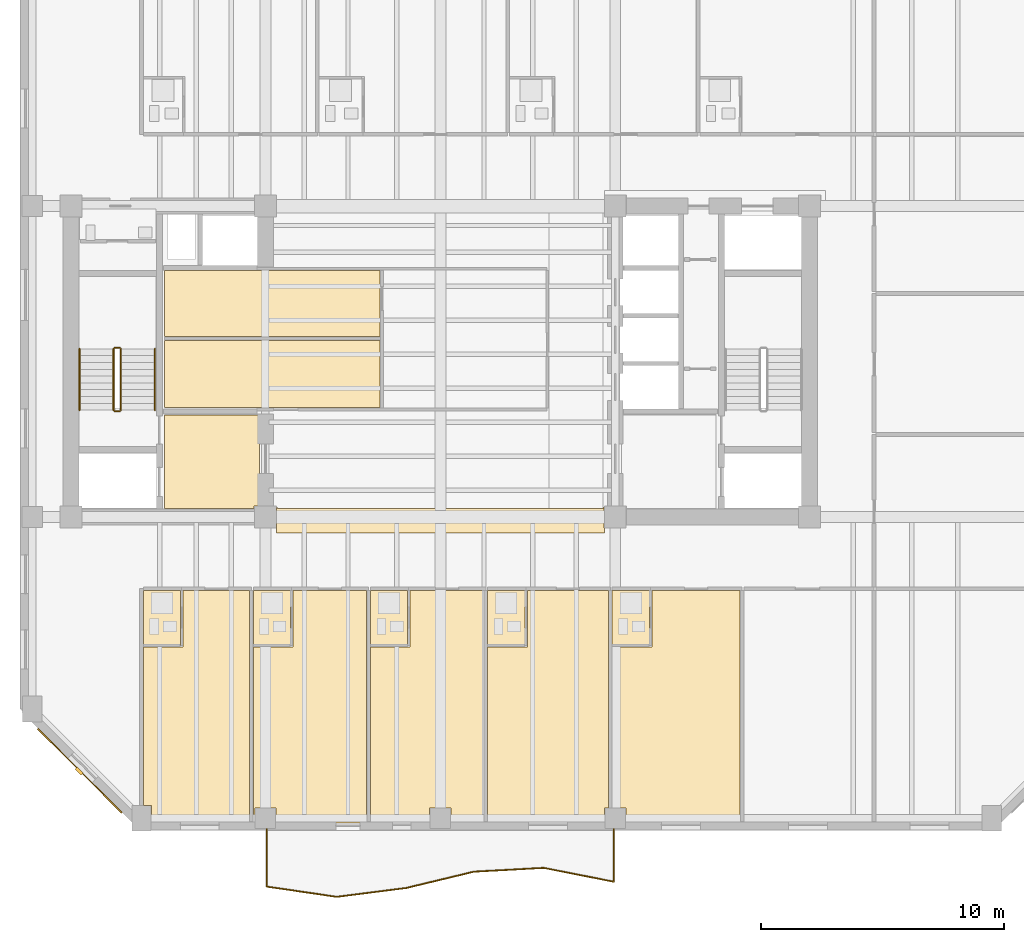
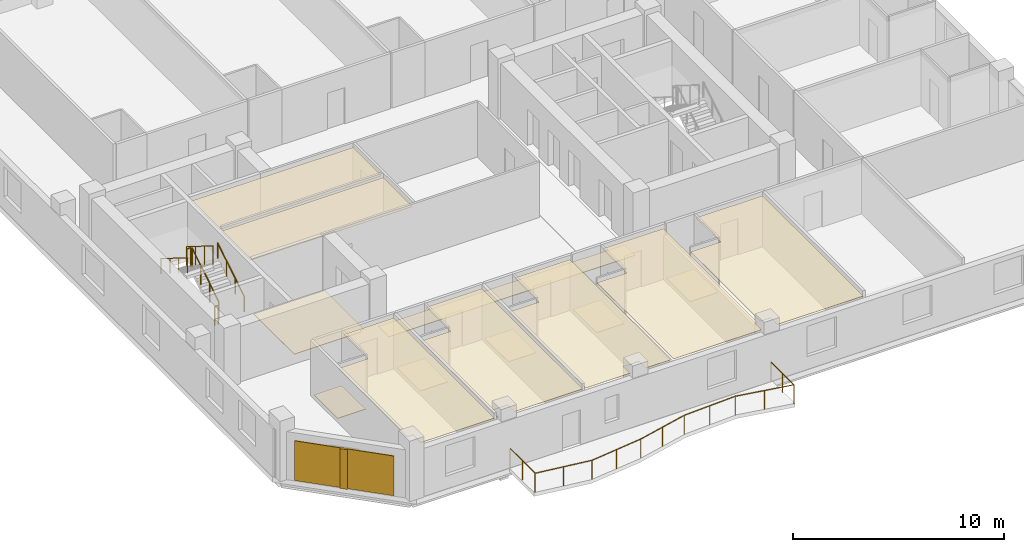
# One storey, part 8 of 11: 15 coverings, 7 railings, 1 shading device.
"""IFC4 building model written with IfcOpenShell, lengths in metres."""

from ifc_helpers import new_model, si_unit, direction, frame, origin, origin_2d, place, context, subcontext, project, spatial, polyline, rectangle, circle, outline, extrude, material, layer, layer_set, type_object, element, save


model = new_model("IFC4")

# Units and contexts
model_context = context("Model", 3, precision=1e-05, world=origin(), true_north=direction((0.0, 1.0)))
body_context = subcontext(model_context, "Body", "Model", "MODEL_VIEW")
ifc_project = project(units=[si_unit("LENGTHUNIT", "METRE"), si_unit("AREAUNIT", "SQUARE_METRE"), si_unit("VOLUMEUNIT", "CUBIC_METRE"), si_unit("PLANEANGLEUNIT", "RADIAN"), si_unit("MASSUNIT", "GRAM", prefix="KILO")], contexts=[model_context])

# Site, building, storey
site_placement = place(None, origin())
site = spatial("IfcSite", under=ifc_project, at=site_placement, CompositionType="ELEMENT")
building_placement = place(site_placement, origin())
building = spatial("IfcBuilding", under=site, at=building_placement, Name="Kranthara Brick Stack", CompositionType="ELEMENT")
storey_placement = place(building_placement, frame((0.0, 0.0, 176.300048828125)))
storey = spatial("IfcBuildingStorey", under=building, at=storey_placement, Name="L45", CompositionType="ELEMENT", Elevation=176.300048828125)

# Coverings
ifc_material_1 = material(Name="Perforated mineral-fibre acoustic ceiling tile", Category="other")
ifc_layer_1 = layer(ifc_material_1, 0.02490234375)
ifc_layer_set_1 = layer_set([ifc_layer_1], Name="Perforated mineral-fibre acoustic ceiling tile")
covering_type_1 = type_object("IfcCoveringType", Name="COV-CEIL-ACOUSTIC", PredefinedType="CEILING", material=ifc_layer_set_1)
covering_1_placement = place(storey_placement, frame((0.0, 0.0, 2.929931640625)))
element("IfcCovering", 1, at=covering_1_placement, inside=storey, type_object=covering_type_1, Name="L45 L45 Hotel Reading Room Acoustic Ceiling", PredefinedType="CEILING", context=body_context, shape_type="SweptSolid", body=[
    extrude(outline(polyline([(25.52001953125, 25.300048828125), (25.52001953125, 28.070068359375), (16.64990234375, 28.070068359375), (16.64990234375, 25.300048828125), (25.52001953125, 25.300048828125)])), origin(), (0.0, 0.0, 1.0), 0.02490234375),
])
covering_2_placement = place(storey_placement, frame((0.0, 0.0, 2.929931640625)))
element("IfcCovering", 2, at=covering_2_placement, inside=storey, type_object=covering_type_1, Name="L45 L45 Hotel Executive Briefing Salon Acoustic Ceiling", PredefinedType="CEILING", context=body_context, shape_type="SweptSolid", body=[
    extrude(outline(polyline([(25.52001953125, 28.22998046875), (25.52001953125, 30.93994140625), (16.64990234375, 30.93994140625), (16.64990234375, 28.22998046875), (25.52001953125, 28.22998046875)])), origin(), (0.0, 0.0, 1.0), 0.02490234375),
])
covering_3_placement = place(storey_placement, frame((0.0, 0.0, 2.929931640625)))
element("IfcCovering", 3, at=covering_3_placement, inside=storey, type_object=covering_type_1, Name="L45 Room L45-01 Hotel Guest Room Acoustic Ceiling", PredefinedType="CEILING", context=body_context, shape_type="SweptSolid", body=[
    extrude(outline(polyline([(15.780029296875, 15.4599609375), (17.409912109375, 15.4599609375), (17.409912109375, 17.77001953125), (20.14306640625, 17.77001953125), (20.14306640625, 8.199951171875), (16.110107421875, 8.199951171875), (16.110107421875, 8.93505859375), (15.780029296875, 8.93505859375), (15.780029296875, 15.4599609375)])), origin(), (0.0, 0.0, 1.0), 0.02490234375),
])
covering_4_placement = place(storey_placement, frame((0.0, 0.0, 2.929931640625)))
element("IfcCovering", 4, at=covering_4_placement, inside=storey, type_object=covering_type_1, Name="L45 Room L45-02 Hotel Guest Room Acoustic Ceiling", PredefinedType="CEILING", context=body_context, shape_type="SweptSolid", body=[
    extrude(outline(polyline([(20.302978515625, 8.199951171875), (20.302978515625, 15.4599609375), (21.93310546875, 15.4599609375), (21.93310546875, 17.77001953125), (24.967041015625, 17.77001953125), (24.967041015625, 8.199951171875), (21.235107421875, 8.199951171875), (21.235107421875, 8.8349609375), (20.364990234375, 8.8349609375), (20.364990234375, 8.199951171875), (20.302978515625, 8.199951171875)])), origin(), (0.0, 0.0, 1.0), 0.02490234375),
])
covering_5_placement = place(storey_placement, frame((0.0, 0.0, 2.929931640625)))
element("IfcCovering", 5, at=covering_5_placement, inside=storey, type_object=covering_type_1, Name="L45 Room L45-03 Hotel Guest Room Acoustic Ceiling", PredefinedType="CEILING", context=body_context, shape_type="SweptSolid", body=[
    extrude(outline(polyline([(25.126953125, 8.199951171875), (25.126953125, 15.4599609375), (26.757080078125, 15.4599609375), (26.757080078125, 17.77001953125), (29.7900390625, 17.77001953125), (29.7900390625, 8.199951171875), (28.43505859375, 8.199951171875), (28.43505859375, 8.8349609375), (27.56494140625, 8.8349609375), (27.56494140625, 8.199951171875), (25.126953125, 8.199951171875)])), origin(), (0.0, 0.0, 1.0), 0.02490234375),
])
covering_6_placement = place(storey_placement, frame((0.0, 0.0, 2.929931640625)))
element("IfcCovering", 6, at=covering_6_placement, inside=storey, type_object=covering_type_1, Name="L45 Room L45-04 Hotel Guest Room Acoustic Ceiling", PredefinedType="CEILING", context=body_context, shape_type="SweptSolid", body=[
    extrude(outline(polyline([(29.949951171875, 8.199951171875), (29.949951171875, 15.4599609375), (31.580078125, 15.4599609375), (31.580078125, 17.77001953125), (34.916015625, 17.77001953125), (34.916015625, 8.8349609375), (34.764892578125, 8.8349609375), (34.764892578125, 8.199951171875), (29.949951171875, 8.199951171875)])), origin(), (0.0, 0.0, 1.0), 0.02490234375),
])
covering_7_placement = place(storey_placement, frame((0.0, 0.0, 2.929931640625)))
element("IfcCovering", 7, at=covering_7_placement, inside=storey, type_object=covering_type_1, Name="L45 Room L45-05 Hotel Guest Room Acoustic Ceiling", PredefinedType="CEILING", context=body_context, shape_type="SweptSolid", body=[
    extrude(outline(polyline([(35.075927734375, 15.4599609375), (36.7060546875, 15.4599609375), (36.7060546875, 17.77001953125), (40.343017578125, 17.77001953125), (40.343017578125, 8.199951171875), (35.635009765625, 8.199951171875), (35.635009765625, 8.8349609375), (35.075927734375, 8.8349609375), (35.075927734375, 15.4599609375)])), origin(), (0.0, 0.0, 1.0), 0.02490234375),
])
ifc_material_2 = material(Name="Warm buff kiln-fired brick slip rainscreen", Category="masonry")
ifc_layer_2 = layer(ifc_material_2, 0.044921875)
ifc_layer_set_2 = layer_set([ifc_layer_2], Name="Warm buff kiln-fired brick slip rainscreen")
covering_type_2 = type_object("IfcCoveringType", Name="COV-CLAD-BRICK", PredefinedType="CLADDING", material=ifc_layer_set_2)
covering_8_placement = place(storey_placement, frame((13.15966796875, 10.359619140625, 0.0498046875), z_axis=(0.0, 0.0, 1.0), x_axis=(-0.707106781187, 0.707106781187, 0.0)))
element("IfcCovering", 8, at=covering_8_placement, inside=storey, type_object=covering_type_2, Name="L45 Chamfer Brick Rainscreen Cladding SW", PredefinedType="CLADDING", context=body_context, shape_type="SweptSolid", body=[
    extrude(rectangle(XDim=4.89306640625, YDim=0.044921875, at=origin_2d()), origin(), (0.0, 0.0, 1.0), 2.300048828125),
])
ifc_material_3 = material(Name="Honed terrazzo and porcelain floor finish", Category="stone")
ifc_layer_3 = layer(ifc_material_3, 0.030029296875)
ifc_layer_set_3 = layer_set([ifc_layer_3], Name="Honed terrazzo and porcelain floor finish")
covering_type_3 = type_object("IfcCoveringType", Name="COV-FLOR-STONE", PredefinedType="FLOORING", material=ifc_layer_set_3)
covering_9_placement = place(storey_placement, origin())
element("IfcCovering", 9, at=covering_9_placement, inside=storey, type_object=covering_type_3, Name="L45 Lift Lobby Stone Flooring", PredefinedType="FLOORING", context=body_context, shape_type="SweptSolid", body=[
    extrude(outline(polyline([(16.64990234375, 21.14990234375), (16.64990234375, 25.0), (20.550048828125, 25.0), (20.550048828125, 21.260009765625), (20.340087890625, 21.260009765625), (20.340087890625, 21.14990234375), (16.64990234375, 21.14990234375)])), origin(), (0.0, 0.0, 1.0), 0.030029296875),
])
covering_10_placement = place(storey_placement, origin())
element("IfcCovering", 10, at=covering_10_placement, inside=storey, type_object=covering_type_3, Name="L45 Lift Lobby Stone Flooring", PredefinedType="FLOORING", context=body_context, shape_type="SweptSolid", body=[
    extrude(outline(polyline([(21.25, 20.340087890625), (21.260009765625, 20.340087890625), (21.260009765625, 21.199951171875), (21.300048828125, 21.199951171875), (21.300048828125, 21.14990234375), (32.47998046875, 21.14990234375), (34.699951171875, 21.14990234375), (34.699951171875, 21.199951171875), (34.739990234375, 21.199951171875), (34.739990234375, 20.340087890625), (34.75, 20.340087890625), (34.75, 20.14990234375), (21.25, 20.14990234375), (21.25, 20.340087890625)])), origin(), (0.0, 0.0, 1.0), 0.030029296875),
])
covering_11_placement = place(storey_placement, origin())
element("IfcCovering", 11, at=covering_11_placement, inside=storey, type_object=covering_type_3, Name="L45 Wet Room Porcelain Flooring", PredefinedType="FLOORING", context=body_context, shape_type="SweptSolid", body=[
    extrude(outline(polyline([(15.780029296875, 15.52001953125), (15.780029296875, 17.77001953125), (17.31005859375, 17.77001953125), (17.31005859375, 15.52001953125), (15.780029296875, 15.52001953125)])), origin(), (0.0, 0.0, 1.0), 0.030029296875),
])
covering_12_placement = place(storey_placement, origin())
element("IfcCovering", 12, at=covering_12_placement, inside=storey, type_object=covering_type_3, Name="L45 Wet Room Porcelain Flooring", PredefinedType="FLOORING", context=body_context, shape_type="SweptSolid", body=[
    extrude(outline(polyline([(20.302978515625, 15.52001953125), (20.302978515625, 17.77001953125), (21.8330078125, 17.77001953125), (21.8330078125, 15.52001953125), (20.302978515625, 15.52001953125)])), origin(), (0.0, 0.0, 1.0), 0.030029296875),
])
covering_13_placement = place(storey_placement, origin())
element("IfcCovering", 13, at=covering_13_placement, inside=storey, type_object=covering_type_3, Name="L45 Wet Room Porcelain Flooring", PredefinedType="FLOORING", context=body_context, shape_type="SweptSolid", body=[
    extrude(outline(polyline([(25.126953125, 15.52001953125), (25.126953125, 17.77001953125), (26.656982421875, 17.77001953125), (26.656982421875, 15.52001953125), (25.126953125, 15.52001953125)])), origin(), (0.0, 0.0, 1.0), 0.030029296875),
])
covering_14_placement = place(storey_placement, origin())
element("IfcCovering", 14, at=covering_14_placement, inside=storey, type_object=covering_type_3, Name="L45 Wet Room Porcelain Flooring", PredefinedType="FLOORING", context=body_context, shape_type="SweptSolid", body=[
    extrude(outline(polyline([(29.949951171875, 15.52001953125), (29.949951171875, 17.77001953125), (31.47998046875, 17.77001953125), (31.47998046875, 15.52001953125), (29.949951171875, 15.52001953125)])), origin(), (0.0, 0.0, 1.0), 0.030029296875),
])
covering_15_placement = place(storey_placement, origin())
element("IfcCovering", 15, at=covering_15_placement, inside=storey, type_object=covering_type_3, Name="L45 Wet Room Porcelain Flooring", PredefinedType="FLOORING", context=body_context, shape_type="SweptSolid", body=[
    extrude(outline(polyline([(35.075927734375, 15.52001953125), (35.075927734375, 17.77001953125), (36.60595703125, 17.77001953125), (36.60595703125, 15.52001953125), (35.075927734375, 15.52001953125)])), origin(), (0.0, 0.0, 1.0), 0.030029296875),
])

# Railings
ifc_material_4 = material(Name="Bronze anodised aluminium and laminated glass balustrade", Category="aluminium")
railing_type_1 = type_object("IfcRailingType", Name="RL-BALC-1120", PredefinedType="BALUSTRADE", material=ifc_material_4)
railing_1_placement = place(storey_placement, frame((35.139892578125, 7.9599609375, 0.0)))
element("IfcRailing", 16, at=railing_1_placement, inside=storey, type_object=railing_type_1, Name="L45 South Rippling Balcony Balustrade", PredefinedType="BALUSTRADE", context=body_context, shape_type="SweptSolid", body=[
    extrude(circle(Radius=0.02392578125, at=origin_2d()), frame((0.0, 0.0, 1.09619140625), z_axis=(0.000112485939, -0.999999993673, 0.0), x_axis=(0.999999993673, 0.000112485939, 0.0)), (0.0, 0.0, 1.0), 2.17041015625),
    extrude(circle(Radius=0.02392578125, at=origin_2d()), frame((0.000244140625, -2.17041015625, 1.09619140625), z_axis=(-0.981063841254, 0.193684639, 0.0), x_axis=(-0.193684639, -0.981063841254, 0.0)), (0.0, 0.0, 1.0), 2.935791015625),
    extrude(circle(Radius=0.02392578125, at=origin_2d()), frame((-2.8798828125, -1.601806640625, 1.09619140625), z_axis=(-0.998540546458, -0.054007194697, 0.0), x_axis=(0.054007194697, -0.998540546458, 0.0)), (0.0, 0.0, 1.0), 2.884033203125),
    extrude(circle(Radius=0.02392578125, at=origin_2d()), frame((-5.759765625, -1.757568359375, 1.09619140625), z_axis=(-0.972068043512, -0.234699209165, 0.0), x_axis=(0.234699209165, -0.972068043512, 0.0)), (0.0, 0.0, 1.0), 2.84716796875),
    extrude(circle(Radius=0.02392578125, at=origin_2d()), frame((-8.52734375, -2.42578125, 1.09619140625), z_axis=(-0.991929277043, -0.12679238678, 0.0), x_axis=(0.12679238678, -0.991929277043, 0.0)), (0.0, 0.0, 1.0), 2.89794921875),
    extrude(circle(Radius=0.02392578125, at=origin_2d()), frame((-11.40185546875, -2.793212890625, 1.09619140625), z_axis=(-0.989465462729, 0.144769119865, 0.0), x_axis=(-0.144769119865, -0.989465462729, 0.0)), (0.0, 0.0, 1.0), 2.9091796875),
    extrude(circle(Radius=0.02392578125, at=origin_2d()), frame((-14.2802734375, -2.3720703125, 1.09619140625), z_axis=(0.000205846023, 0.999999978814, 0.0), x_axis=(-0.999999978814, 0.000205846023, 0.0)), (0.0, 0.0, 1.0), 2.3720703125),
    extrude(circle(Radius=0.02099609375, at=origin_2d()), origin(), (0.0, 0.0, 1.0), 1.072021484375),
    extrude(circle(Radius=0.02099609375, at=origin_2d()), frame((0.0, -1.085205078125, 0.0)), (0.0, 0.0, 1.0), 1.072021484375),
    extrude(circle(Radius=0.02099609375, at=origin_2d()), frame((0.000244140625, -2.17041015625, 0.0)), (0.0, 0.0, 1.0), 1.072021484375),
    extrude(circle(Radius=0.02099609375, at=origin_2d()), frame((-1.43994140625, -1.88623046875, 0.0)), (0.0, 0.0, 1.0), 1.072021484375),
    extrude(circle(Radius=0.02099609375, at=origin_2d()), frame((-2.8798828125, -1.601806640625, 0.0)), (0.0, 0.0, 1.0), 1.072021484375),
    extrude(circle(Radius=0.02099609375, at=origin_2d()), frame((-4.31982421875, -1.6796875, 0.0)), (0.0, 0.0, 1.0), 1.072021484375),
    extrude(circle(Radius=0.02099609375, at=origin_2d()), frame((-5.759765625, -1.757568359375, 0.0)), (0.0, 0.0, 1.0), 1.072021484375),
    extrude(circle(Radius=0.02099609375, at=origin_2d()), frame((-7.1435546875, -2.091796875, 0.0)), (0.0, 0.0, 1.0), 1.072021484375),
    extrude(circle(Radius=0.02099609375, at=origin_2d()), frame((-8.52734375, -2.42578125, 0.0)), (0.0, 0.0, 1.0), 1.072021484375),
    extrude(circle(Radius=0.02099609375, at=origin_2d()), frame((-9.964599609375, -2.609375, 0.0)), (0.0, 0.0, 1.0), 1.072021484375),
    extrude(circle(Radius=0.02099609375, at=origin_2d()), frame((-11.40185546875, -2.793212890625, 0.0)), (0.0, 0.0, 1.0), 1.072021484375),
    extrude(circle(Radius=0.02099609375, at=origin_2d()), frame((-12.841064453125, -2.58251953125, 0.0)), (0.0, 0.0, 1.0), 1.072021484375),
    extrude(circle(Radius=0.02099609375, at=origin_2d()), frame((-14.2802734375, -2.3720703125, 0.0)), (0.0, 0.0, 1.0), 1.072021484375),
    extrude(circle(Radius=0.02099609375, at=origin_2d()), frame((-14.280029296875, -1.18603515625, 0.0)), (0.0, 0.0, 1.0), 1.072021484375),
    extrude(circle(Radius=0.02099609375, at=origin_2d()), frame((-14.27978515625, 0.0, 0.0)), (0.0, 0.0, 1.0), 1.072021484375),
])
ifc_material_5 = material(Name="Painted galvanized steel stair guardrail", Category="steel")
railing_type_2 = type_object("IfcRailingType", Name="RL-STAIR-GUARD-1100", PredefinedType="GUARDRAIL", material=ifc_material_5)
railing_2_placement = place(storey_placement, frame((14.85009765625, 25.199951171875, 0.175048828125)))
element("IfcRailing", 17, at=railing_2_placement, inside=storey, type_object=railing_type_2, Name="L45 ST01 stair guard 1", PredefinedType="GUARDRAIL", context=body_context, shape_type="SweptSolid", body=[
    extrude(circle(Radius=0.02392578125, at=origin_2d()), frame((0.0, 0.0, 1.076171875), z_axis=(0.0, 0.848007534815, 0.529984170421), x_axis=(-1.0, 0.0, 0.0)), (0.0, 0.0, 1.0), 2.9716796875),
    extrude(circle(Radius=0.02099609375, at=origin_2d()), origin(), (0.0, 0.0, 1.0), 1.052001953125),
    extrude(circle(Radius=0.02099609375, at=origin_2d()), frame((0.0, 0.840087890625, 0.52490234375)), (0.0, 0.0, 1.0), 1.052001953125),
    extrude(circle(Radius=0.02099609375, at=origin_2d()), frame((0.0, 1.679931640625, 1.050048828125)), (0.0, 0.0, 1.0), 1.052001953125),
    extrude(circle(Radius=0.02099609375, at=origin_2d()), frame((0.0, 2.52001953125, 1.574951171875)), (0.0, 0.0, 1.0), 1.052001953125),
])
railing_3_placement = place(storey_placement, frame((14.800048828125, 27.77001953125, 1.75)))
element("IfcRailing", 18, at=railing_3_placement, inside=storey, type_object=railing_type_2, Name="L45 ST01 stair guard 2", PredefinedType="GUARDRAIL", context=body_context, shape_type="SweptSolid", body=[
    extrude(circle(Radius=0.02392578125, at=origin_2d()), frame((0.0, 0.0, 1.076171875), z_axis=(-1.0, 0.0, 0.0), x_axis=(0.0, -1.0, 0.0)), (0.0, 0.0, 1.0), 0.199951171875),
    extrude(circle(Radius=0.02099609375, at=origin_2d()), origin(), (0.0, 0.0, 1.0), 1.052001953125),
    extrude(circle(Radius=0.02099609375, at=origin_2d()), frame((-0.199951171875, 0.0, 0.0)), (0.0, 0.0, 1.0), 1.052001953125),
])
railing_4_placement = place(storey_placement, frame((14.550048828125, 27.719970703125, 1.925048828125)))
element("IfcRailing", 19, at=railing_4_placement, inside=storey, type_object=railing_type_2, Name="L45 ST01 stair guard 3", PredefinedType="GUARDRAIL", context=body_context, shape_type="SweptSolid", body=[
    extrude(circle(Radius=0.02392578125, at=origin_2d()), frame((0.0, 0.0, 1.076171875), z_axis=(0.0, -0.848007534815, 0.529984170421), x_axis=(1.0, 0.0, 0.0)), (0.0, 0.0, 1.0), 2.9716796875),
    extrude(circle(Radius=0.02099609375, at=origin_2d()), origin(), (0.0, 0.0, 1.0), 1.052001953125),
    extrude(circle(Radius=0.02099609375, at=origin_2d()), frame((0.0, -0.840087890625, 0.52490234375)), (0.0, 0.0, 1.0), 1.052001953125),
    extrude(circle(Radius=0.02099609375, at=origin_2d()), frame((0.0, -1.679931640625, 1.050048828125)), (0.0, 0.0, 1.0), 1.052001953125),
    extrude(circle(Radius=0.02099609375, at=origin_2d()), frame((0.0, -2.52001953125, 1.574951171875)), (0.0, 0.0, 1.0), 1.052001953125),
])
railing_5_placement = place(storey_placement, frame((14.800048828125, 25.14990234375, 0.0)))
element("IfcRailing", 20, at=railing_5_placement, inside=storey, type_object=railing_type_2, Name="L45 ST01 stair guard 4", PredefinedType="GUARDRAIL", context=body_context, shape_type="SweptSolid", body=[
    extrude(circle(Radius=0.02392578125, at=origin_2d()), frame((0.0, 0.0, 1.076171875), z_axis=(-1.0, 0.0, 0.0), x_axis=(0.0, -1.0, 0.0)), (0.0, 0.0, 1.0), 0.199951171875),
    extrude(circle(Radius=0.02099609375, at=origin_2d()), origin(), (0.0, 0.0, 1.0), 1.052001953125),
    extrude(circle(Radius=0.02099609375, at=origin_2d()), frame((-0.199951171875, 0.0, 0.0)), (0.0, 0.0, 1.0), 1.052001953125),
])
ifc_material_6 = material(Name="Brushed stainless steel tubular handrail", Category="steel")
railing_type_3 = type_object("IfcRailingType", Name="RL-STAIR-HAND-900", PredefinedType="HANDRAIL", material=ifc_material_6)
railing_6_placement = place(storey_placement, frame((16.25, 25.199951171875, 0.175048828125)))
element("IfcRailing", 21, at=railing_6_placement, inside=storey, type_object=railing_type_3, Name="L45 ST01 stair handrail 1", PredefinedType="HANDRAIL", context=body_context, shape_type="SweptSolid", body=[
    extrude(circle(Radius=0.02392578125, at=origin_2d()), frame((0.0, 0.0, 0.8759765625), z_axis=(0.0, 0.848007534815, 0.529984170421), x_axis=(-1.0, 0.0, 0.0)), (0.0, 0.0, 1.0), 2.9716796875),
    extrude(circle(Radius=0.02099609375, at=origin_2d()), origin(), (0.0, 0.0, 1.0), 0.851806640625),
    extrude(circle(Radius=0.02099609375, at=origin_2d()), frame((0.0, 0.840087890625, 0.52490234375)), (0.0, 0.0, 1.0), 0.851806640625),
    extrude(circle(Radius=0.02099609375, at=origin_2d()), frame((0.0, 1.679931640625, 1.050048828125)), (0.0, 0.0, 1.0), 0.851806640625),
    extrude(circle(Radius=0.02099609375, at=origin_2d()), frame((0.0, 2.52001953125, 1.574951171875)), (0.0, 0.0, 1.0), 0.851806640625),
])
railing_7_placement = place(storey_placement, frame((13.14990234375, 27.719970703125, 1.925048828125)))
element("IfcRailing", 22, at=railing_7_placement, inside=storey, type_object=railing_type_3, Name="L45 ST01 stair handrail 2", PredefinedType="HANDRAIL", context=body_context, shape_type="SweptSolid", body=[
    extrude(circle(Radius=0.02392578125, at=origin_2d()), frame((0.0, 0.0, 0.8759765625), z_axis=(0.0, -0.848007534815, 0.529984170421), x_axis=(1.0, 0.0, 0.0)), (0.0, 0.0, 1.0), 2.9716796875),
    extrude(circle(Radius=0.02099609375, at=origin_2d()), origin(), (0.0, 0.0, 1.0), 0.851806640625),
    extrude(circle(Radius=0.02099609375, at=origin_2d()), frame((0.0, -0.840087890625, 0.52490234375)), (0.0, 0.0, 1.0), 0.851806640625),
    extrude(circle(Radius=0.02099609375, at=origin_2d()), frame((0.0, -1.679931640625, 1.050048828125)), (0.0, 0.0, 1.0), 0.851806640625),
    extrude(circle(Radius=0.02099609375, at=origin_2d()), frame((0.0, -2.52001953125, 1.574951171875)), (0.0, 0.0, 1.0), 0.851806640625),
])

# Shading device
ifc_material_7 = material(Name="Kiln-fired terracotta aerodynamic wind fin", Category="masonry")
shading_device_type = type_object("IfcShadingDeviceType", Name="SHD-BAFFLE-CORNER", PredefinedType="SHUTTER", material=ifc_material_7)
shading_device_placement = place(storey_placement, frame((13.138427734375, 10.33837890625, 0.0498046875), z_axis=(0.0, 0.0, 1.0), x_axis=(-0.707106781187, 0.707106781187, 0.0)))
element("IfcShadingDevice", 23, at=shading_device_placement, inside=storey, type_object=shading_device_type, Name="L45 Chamfer Wind-Baffle Fin SW", PredefinedType="SHUTTER", context=body_context, shape_type="SweptSolid", body=[
    extrude(rectangle(XDim=0.35009765625, YDim=0.1201171875, at=origin_2d()), origin(), (0.0, 0.0, 1.0), 2.300048828125),
])

save(model, "model.ifc")
